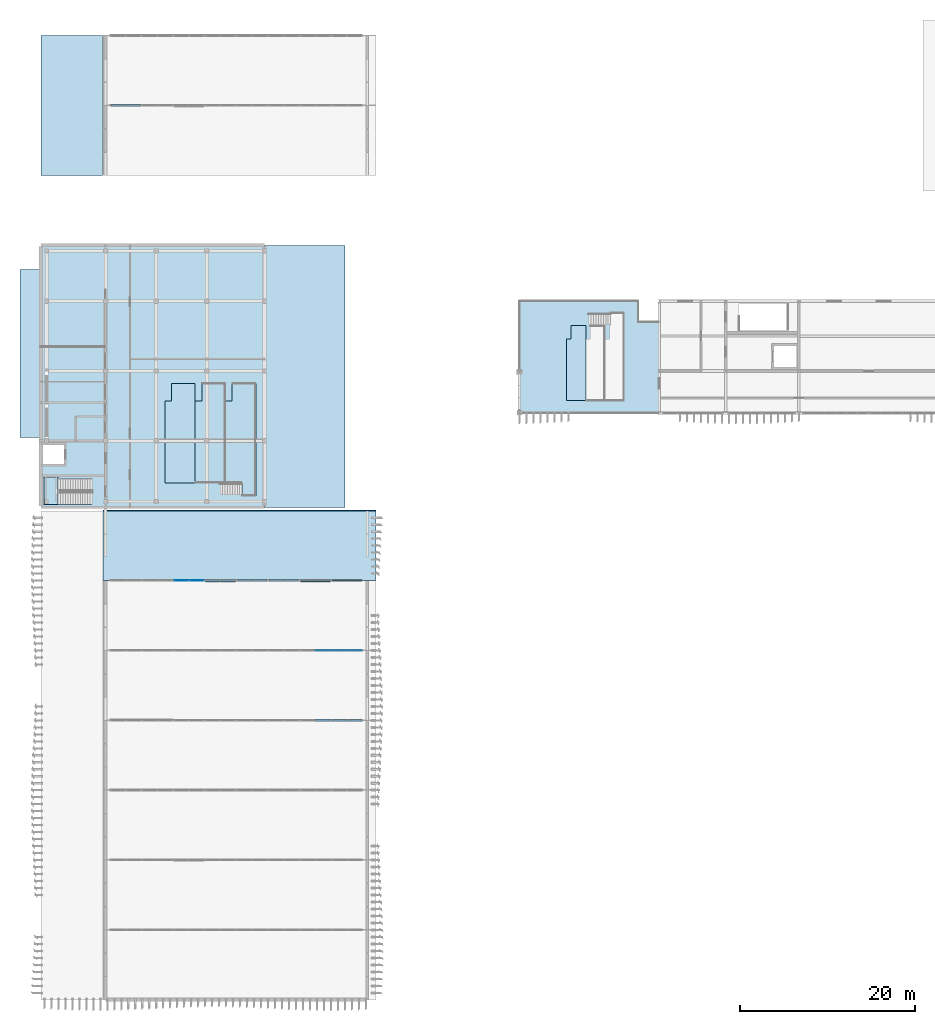
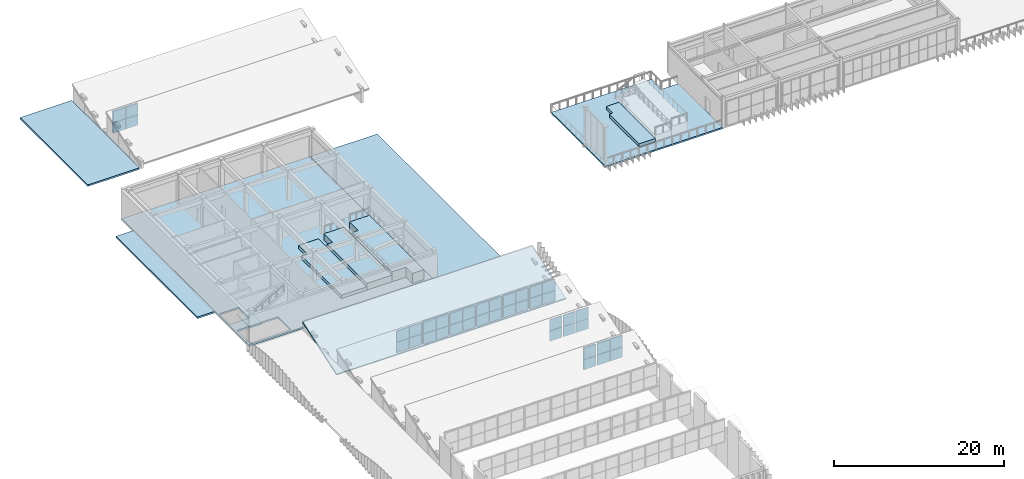
# One storey, part 21 of 45: 40 plates, 11 slabs, 12 elements without a shape of their own.
"""IFC4 building model written with IfcOpenShell, lengths in metres."""

from ifc_helpers import new_model, si_unit, direction, frame, origin, origin_2d, place, context, subcontext, project, spatial, polyline, rectangle, outline, extrude, material, layer, layer_set, type_object, element, aggregate, save


model = new_model("IFC4")

# Units and contexts
model_context = context("Model", 3, precision=1e-05, world=origin(), true_north=direction((0.0, 1.0)))
body_context = subcontext(model_context, "Body", "Model", "MODEL_VIEW")
ifc_project = project(units=[si_unit("LENGTHUNIT", "METRE"), si_unit("AREAUNIT", "SQUARE_METRE"), si_unit("VOLUMEUNIT", "CUBIC_METRE"), si_unit("PLANEANGLEUNIT", "RADIAN"), si_unit("MASSUNIT", "GRAM", prefix="KILO")], contexts=[model_context])

# Site, building, storey
site_placement = place(None, origin())
site = spatial("IfcSite", under=ifc_project, at=site_placement, CompositionType="ELEMENT")
building_placement = place(site_placement, origin())
building = spatial("IfcBuilding", under=site, at=building_placement, Name="Cinchona Park Media Centre", CompositionType="ELEMENT")
storey_placement = place(building_placement, frame((0.0, 0.0, 20.39990234375)))
storey = spatial("IfcBuildingStorey", under=building, at=storey_placement, Name="L04", CompositionType="ELEMENT", Elevation=20.39990234375)

# Curtain wall, plates
ifc_material_1 = material(Name="Aluminium Curtain Wall Framing", Category="aluminium")
ifc_layer_1 = layer(ifc_material_1, 0.31494140625)
ifc_layer_set_1 = layer_set([ifc_layer_1], Name="Aluminium Curtain Wall Framing")
curtain_wall_type = type_object("IfcCurtainWallType", Name="CW-CW10", PredefinedType="USERDEFINED", material=ifc_layer_set_1)
curtain_wall_1_placement = place(storey_placement, origin())
curtain_wall_1 = element("IfcCurtainWall", 1, at=curtain_wall_1_placement, inside=storey, type_object=curtain_wall_type, Name="North-Light Sawtooth Clerestory V1 Bay 6.6 CW10 L04", ObjectType="UNITISED CURTAIN WALL", PredefinedType="USERDEFINED")
ifc_material_2 = material(Name="Laminated Solar-Control Double Glazing", Category="glass")
ifc_layer_2 = layer(ifc_material_2, 0.030029296875)
ifc_layer_set_2 = layer_set([ifc_layer_2], Name="Laminated Solar-Control Double Glazing")
plate_type_1 = type_object("IfcPlateType", Name="CWPANEL-PNL02", PredefinedType="CURTAIN_PANEL", material=ifc_layer_set_2)
plate_1_placement = place(storey_placement, frame((25.8173828125, 55.60009765625, -1.349853515625), z_axis=(0.0, 0.0, 1.0), x_axis=(-1.0, 0.0, 0.0)))
plate_1 = element("IfcPlate", 2, at=plate_1_placement, type_object=plate_type_1, Name="CW10 panel 1.1", PredefinedType="CURTAIN_PANEL", context=body_context, shape_type="SweptSolid", body=[
    extrude(rectangle(XDim=1.6650390625, YDim=0.030029296875, at=origin_2d()), origin(), (0.0, 0.0, 1.0), 1.4580078125),
])
plate_2_placement = place(storey_placement, frame((25.8173828125, 55.60009765625, 0.17822265625), z_axis=(0.0, 0.0, 1.0), x_axis=(-1.0, 0.0, 0.0)))
plate_2 = element("IfcPlate", 3, at=plate_2_placement, type_object=plate_type_1, Name="CW10 panel 1.2", PredefinedType="CURTAIN_PANEL", context=body_context, shape_type="SweptSolid", body=[
    extrude(rectangle(XDim=1.6650390625, YDim=0.030029296875, at=origin_2d()), origin(), (0.0, 0.0, 1.0), 1.589111328125),
])
plate_3_placement = place(storey_placement, frame((24.08251953125, 55.60009765625, -1.349853515625), z_axis=(0.0, 0.0, 1.0), x_axis=(-1.0, 0.0, 0.0)))
plate_3 = element("IfcPlate", 4, at=plate_3_placement, type_object=plate_type_1, Name="CW10 panel 2.1", PredefinedType="CURTAIN_PANEL", context=body_context, shape_type="SweptSolid", body=[
    extrude(rectangle(XDim=1.6650390625, YDim=0.030029296875, at=origin_2d()), origin(), (0.0, 0.0, 1.0), 1.4580078125),
])
plate_4_placement = place(storey_placement, frame((24.08251953125, 55.60009765625, 0.17822265625), z_axis=(0.0, 0.0, 1.0), x_axis=(-1.0, 0.0, 0.0)))
plate_4 = element("IfcPlate", 5, at=plate_4_placement, type_object=plate_type_1, Name="CW10 panel 2.2", PredefinedType="CURTAIN_PANEL", context=body_context, shape_type="SweptSolid", body=[
    extrude(rectangle(XDim=1.6650390625, YDim=0.030029296875, at=origin_2d()), origin(), (0.0, 0.0, 1.0), 1.589111328125),
])
aggregate(curtain_wall_1, [plate_1, plate_2, plate_3, plate_4])

curtain_wall_2_placement = place(storey_placement, origin())
curtain_wall_2 = element("IfcCurtainWall", 6, at=curtain_wall_2_placement, inside=storey, type_object=curtain_wall_type, Name="North-Light Sawtooth Clerestory V1 Bay 5.1 CW10 L04", ObjectType="UNITISED CURTAIN WALL", PredefinedType="USERDEFINED")
ifc_material_3 = material(Name="Laminated Solar-Control Double Glazing", Category="glass")
ifc_layer_3 = layer(ifc_material_3, 0.080078125)
ifc_layer_set_3 = layer_set([ifc_layer_3], Name="Laminated Solar-Control Double Glazing")
plate_type_2 = type_object("IfcPlateType", Name="CWPANEL-PNL07", PredefinedType="CURTAIN_PANEL", material=ifc_layer_set_3)
plate_5_placement = place(storey_placement, frame((43.91748046875, 47.60009765625, -0.5498046875), z_axis=(0.0, 0.0, 1.0), x_axis=(-1.0, 0.0, 0.0)))
plate_5 = element("IfcPlate", 7, at=plate_5_placement, type_object=plate_type_2, Name="CW10 panel 1.1", PredefinedType="CURTAIN_PANEL", context=body_context, shape_type="SweptSolid", body=[
    extrude(rectangle(XDim=1.6650390625, YDim=0.080078125, at=origin_2d()), origin(), (0.0, 0.0, 1.0), 1.4580078125),
])
plate_6_placement = place(storey_placement, frame((43.91748046875, 47.60009765625, 0.97802734375), z_axis=(0.0, 0.0, 1.0), x_axis=(-1.0, 0.0, 0.0)))
plate_6 = element("IfcPlate", 8, at=plate_6_placement, type_object=plate_type_2, Name="CW10 panel 1.2", PredefinedType="CURTAIN_PANEL", context=body_context, shape_type="SweptSolid", body=[
    extrude(rectangle(XDim=1.6650390625, YDim=0.080078125, at=origin_2d()), origin(), (0.0, 0.0, 1.0), 1.589111328125),
])
plate_7_placement = place(storey_placement, frame((42.1826171875, 47.60009765625, -0.5498046875), z_axis=(0.0, 0.0, 1.0), x_axis=(-1.0, 0.0, 0.0)))
plate_7 = element("IfcPlate", 9, at=plate_7_placement, type_object=plate_type_2, Name="CW10 panel 2.1", PredefinedType="CURTAIN_PANEL", context=body_context, shape_type="SweptSolid", body=[
    extrude(rectangle(XDim=1.6650390625, YDim=0.080078125, at=origin_2d()), origin(), (0.0, 0.0, 1.0), 1.4580078125),
])
plate_8_placement = place(storey_placement, frame((42.1826171875, 47.60009765625, 0.97802734375), z_axis=(0.0, 0.0, 1.0), x_axis=(-1.0, 0.0, 0.0)))
plate_8 = element("IfcPlate", 10, at=plate_8_placement, type_object=plate_type_2, Name="CW10 panel 2.2", PredefinedType="CURTAIN_PANEL", context=body_context, shape_type="SweptSolid", body=[
    extrude(rectangle(XDim=1.6650390625, YDim=0.080078125, at=origin_2d()), origin(), (0.0, 0.0, 1.0), 1.589111328125),
])
aggregate(curtain_wall_2, [plate_5, plate_6, plate_7, plate_8])

curtain_wall_3_placement = place(storey_placement, origin())
curtain_wall_3 = element("IfcCurtainWall", 11, at=curtain_wall_3_placement, inside=storey, type_object=curtain_wall_type, Name="North-Light Sawtooth Clerestory V1 Bay 5.2 CW10 L04", ObjectType="UNITISED CURTAIN WALL", PredefinedType="USERDEFINED")
ifc_material_4 = material(Name="Insulated Acoustic Aluminium-Glass Spandrel Cassette", Category="aluminium")
ifc_layer_4 = layer(ifc_material_4, 0.10009765625)
ifc_layer_set_4 = layer_set([ifc_layer_4], Name="Insulated Acoustic Aluminium-Glass Spandrel Cassette")
plate_type_3 = type_object("IfcPlateType", Name="CWPANEL-PNL09", PredefinedType="CURTAIN_PANEL", material=ifc_layer_set_4)
plate_9_placement = place(storey_placement, frame((40.297607421875, 47.60009765625, -0.5498046875), z_axis=(0.0, 0.0, 1.0), x_axis=(-1.0, 0.0, 0.0)))
plate_9 = element("IfcPlate", 12, at=plate_9_placement, type_object=plate_type_3, Name="CW10 panel 1.1", PredefinedType="CURTAIN_PANEL", context=body_context, shape_type="SweptSolid", body=[
    extrude(rectangle(XDim=1.6650390625, YDim=0.10009765625, at=origin_2d()), origin(), (0.0, 0.0, 1.0), 1.4580078125),
])
plate_10_placement = place(storey_placement, frame((40.297607421875, 47.60009765625, 0.97802734375), z_axis=(0.0, 0.0, 1.0), x_axis=(-1.0, 0.0, 0.0)))
plate_10 = element("IfcPlate", 13, at=plate_10_placement, type_object=plate_type_3, Name="CW10 panel 1.2", PredefinedType="CURTAIN_PANEL", context=body_context, shape_type="SweptSolid", body=[
    extrude(rectangle(XDim=1.6650390625, YDim=0.10009765625, at=origin_2d()), origin(), (0.0, 0.0, 1.0), 1.589111328125),
])
aggregate(curtain_wall_3, [plate_9, plate_10])

curtain_wall_4_placement = place(storey_placement, origin())
curtain_wall_4 = element("IfcCurtainWall", 14, at=curtain_wall_4_placement, inside=storey, type_object=curtain_wall_type, Name="North-Light Sawtooth Clerestory V1 Bay 6.1 CW10 L04", ObjectType="UNITISED CURTAIN WALL", PredefinedType="USERDEFINED")
ifc_material_5 = material(Name="Insulated Acoustic Aluminium-Glass Spandrel Cassette", Category="aluminium")
ifc_layer_5 = layer(ifc_material_5, 0.18994140625)
ifc_layer_set_5 = layer_set([ifc_layer_5], Name="Insulated Acoustic Aluminium-Glass Spandrel Cassette")
plate_type_4 = type_object("IfcPlateType", Name="CWPANEL-PNL18", PredefinedType="CURTAIN_PANEL", material=ifc_layer_set_5)
plate_11_placement = place(storey_placement, frame((43.91748046875, 55.60009765625, -1.349853515625), z_axis=(0.0, 0.0, 1.0), x_axis=(-1.0, 0.0, 0.0)))
plate_11 = element("IfcPlate", 15, at=plate_11_placement, type_object=plate_type_4, Name="CW10 panel 1.1", PredefinedType="CURTAIN_PANEL", context=body_context, shape_type="SweptSolid", body=[
    extrude(rectangle(XDim=1.6650390625, YDim=0.18994140625, at=origin_2d()), origin(), (0.0, 0.0, 1.0), 1.4580078125),
])
plate_12_placement = place(storey_placement, frame((43.91748046875, 55.60009765625, 0.17822265625), z_axis=(0.0, 0.0, 1.0), x_axis=(-1.0, 0.0, 0.0)))
plate_12 = element("IfcPlate", 16, at=plate_12_placement, type_object=plate_type_4, Name="CW10 panel 1.2", PredefinedType="CURTAIN_PANEL", context=body_context, shape_type="SweptSolid", body=[
    extrude(rectangle(XDim=1.6650390625, YDim=0.18994140625, at=origin_2d()), origin(), (0.0, 0.0, 1.0), 1.589111328125),
])
plate_13_placement = place(storey_placement, frame((42.1826171875, 55.60009765625, -1.349853515625), z_axis=(0.0, 0.0, 1.0), x_axis=(-1.0, 0.0, 0.0)))
plate_13 = element("IfcPlate", 17, at=plate_13_placement, type_object=plate_type_4, Name="CW10 panel 2.1", PredefinedType="CURTAIN_PANEL", context=body_context, shape_type="SweptSolid", body=[
    extrude(rectangle(XDim=1.6650390625, YDim=0.18994140625, at=origin_2d()), origin(), (0.0, 0.0, 1.0), 1.4580078125),
])
plate_14_placement = place(storey_placement, frame((42.1826171875, 55.60009765625, 0.17822265625), z_axis=(0.0, 0.0, 1.0), x_axis=(-1.0, 0.0, 0.0)))
plate_14 = element("IfcPlate", 18, at=plate_14_placement, type_object=plate_type_4, Name="CW10 panel 2.2", PredefinedType="CURTAIN_PANEL", context=body_context, shape_type="SweptSolid", body=[
    extrude(rectangle(XDim=1.6650390625, YDim=0.18994140625, at=origin_2d()), origin(), (0.0, 0.0, 1.0), 1.589111328125),
])
aggregate(curtain_wall_4, [plate_11, plate_12, plate_13, plate_14])

curtain_wall_5_placement = place(storey_placement, origin())
curtain_wall_5 = element("IfcCurtainWall", 19, at=curtain_wall_5_placement, inside=storey, type_object=curtain_wall_type, Name="North-Light Sawtooth Clerestory V1 Bay 6.2 CW10 L04", ObjectType="UNITISED CURTAIN WALL", PredefinedType="USERDEFINED")
ifc_material_6 = material(Name="Insulated Acoustic Aluminium-Glass Spandrel Cassette", Category="aluminium")
ifc_layer_6 = layer(ifc_material_6, 0.2099609375)
ifc_layer_set_6 = layer_set([ifc_layer_6], Name="Insulated Acoustic Aluminium-Glass Spandrel Cassette")
plate_type_5 = type_object("IfcPlateType", Name="CWPANEL-PNL20", PredefinedType="CURTAIN_PANEL", material=ifc_layer_set_6)
plate_15_placement = place(storey_placement, frame((40.297607421875, 55.60009765625, -1.349853515625), z_axis=(0.0, 0.0, 1.0), x_axis=(-1.0, 0.0, 0.0)))
plate_15 = element("IfcPlate", 20, at=plate_15_placement, type_object=plate_type_5, Name="CW10 panel 1.1", PredefinedType="CURTAIN_PANEL", context=body_context, shape_type="SweptSolid", body=[
    extrude(rectangle(XDim=1.6650390625, YDim=0.2099609375, at=origin_2d()), origin(), (0.0, 0.0, 1.0), 1.4580078125),
])
plate_16_placement = place(storey_placement, frame((40.297607421875, 55.60009765625, 0.17822265625), z_axis=(0.0, 0.0, 1.0), x_axis=(-1.0, 0.0, 0.0)))
plate_16 = element("IfcPlate", 21, at=plate_16_placement, type_object=plate_type_5, Name="CW10 panel 1.2", PredefinedType="CURTAIN_PANEL", context=body_context, shape_type="SweptSolid", body=[
    extrude(rectangle(XDim=1.6650390625, YDim=0.2099609375, at=origin_2d()), origin(), (0.0, 0.0, 1.0), 1.589111328125),
])
plate_17_placement = place(storey_placement, frame((38.5625, 55.60009765625, -1.349853515625), z_axis=(0.0, 0.0, 1.0), x_axis=(-1.0, 0.0, 0.0)))
plate_17 = element("IfcPlate", 22, at=plate_17_placement, type_object=plate_type_5, Name="CW10 panel 2.1", PredefinedType="CURTAIN_PANEL", context=body_context, shape_type="SweptSolid", body=[
    extrude(rectangle(XDim=1.6650390625, YDim=0.2099609375, at=origin_2d()), origin(), (0.0, 0.0, 1.0), 1.4580078125),
])
plate_18_placement = place(storey_placement, frame((38.5625, 55.60009765625, 0.17822265625), z_axis=(0.0, 0.0, 1.0), x_axis=(-1.0, 0.0, 0.0)))
plate_18 = element("IfcPlate", 23, at=plate_18_placement, type_object=plate_type_5, Name="CW10 panel 2.2", PredefinedType="CURTAIN_PANEL", context=body_context, shape_type="SweptSolid", body=[
    extrude(rectangle(XDim=1.6650390625, YDim=0.2099609375, at=origin_2d()), origin(), (0.0, 0.0, 1.0), 1.589111328125),
])
aggregate(curtain_wall_5, [plate_15, plate_16, plate_17, plate_18])

curtain_wall_6_placement = place(storey_placement, origin())
curtain_wall_6 = element("IfcCurtainWall", 24, at=curtain_wall_6_placement, inside=storey, type_object=curtain_wall_type, Name="North-Light Sawtooth Clerestory V1 Bay 4.1 CW10 L04", ObjectType="UNITISED CURTAIN WALL", PredefinedType="USERDEFINED")
ifc_material_7 = material(Name="Insulated Acoustic Aluminium-Glass Spandrel Cassette", Category="aluminium")
ifc_layer_7 = layer(ifc_material_7, 0.22998046875)
ifc_layer_set_7 = layer_set([ifc_layer_7], Name="Insulated Acoustic Aluminium-Glass Spandrel Cassette")
plate_type_6 = type_object("IfcPlateType", Name="CWPANEL-PNL22", PredefinedType="CURTAIN_PANEL", material=ifc_layer_set_7)
plate_19_placement = place(storey_placement, frame((43.91748046875, 39.60009765625, 0.25), z_axis=(0.0, 0.0, 1.0), x_axis=(-1.0, 0.0, 0.0)))
plate_19 = element("IfcPlate", 25, at=plate_19_placement, type_object=plate_type_6, Name="CW10 panel 1.1", PredefinedType="CURTAIN_PANEL", context=body_context, shape_type="SweptSolid", body=[
    extrude(rectangle(XDim=1.6650390625, YDim=0.22998046875, at=origin_2d()), origin(), (0.0, 0.0, 1.0), 1.4580078125),
])
plate_20_placement = place(storey_placement, frame((43.91748046875, 39.60009765625, 1.77783203125), z_axis=(0.0, 0.0, 1.0), x_axis=(-1.0, 0.0, 0.0)))
plate_20 = element("IfcPlate", 26, at=plate_20_placement, type_object=plate_type_6, Name="CW10 panel 1.2", PredefinedType="CURTAIN_PANEL", context=body_context, shape_type="SweptSolid", body=[
    extrude(rectangle(XDim=1.6650390625, YDim=0.22998046875, at=origin_2d()), origin(), (0.0, 0.0, 1.0), 1.589111328125),
])
plate_21_placement = place(storey_placement, frame((42.1826171875, 39.60009765625, 0.25), z_axis=(0.0, 0.0, 1.0), x_axis=(-1.0, 0.0, 0.0)))
plate_21 = element("IfcPlate", 27, at=plate_21_placement, type_object=plate_type_6, Name="CW10 panel 2.1", PredefinedType="CURTAIN_PANEL", context=body_context, shape_type="SweptSolid", body=[
    extrude(rectangle(XDim=1.6650390625, YDim=0.22998046875, at=origin_2d()), origin(), (0.0, 0.0, 1.0), 1.4580078125),
])
plate_22_placement = place(storey_placement, frame((42.1826171875, 39.60009765625, 1.77783203125), z_axis=(0.0, 0.0, 1.0), x_axis=(-1.0, 0.0, 0.0)))
plate_22 = element("IfcPlate", 28, at=plate_22_placement, type_object=plate_type_6, Name="CW10 panel 2.2", PredefinedType="CURTAIN_PANEL", context=body_context, shape_type="SweptSolid", body=[
    extrude(rectangle(XDim=1.6650390625, YDim=0.22998046875, at=origin_2d()), origin(), (0.0, 0.0, 1.0), 1.589111328125),
])
aggregate(curtain_wall_6, [plate_19, plate_20, plate_21, plate_22])

curtain_wall_7_placement = place(storey_placement, origin())
curtain_wall_7 = element("IfcCurtainWall", 29, at=curtain_wall_7_placement, inside=storey, type_object=curtain_wall_type, Name="North-Light Sawtooth Clerestory V1 Bay 6.3 CW10 L04", ObjectType="UNITISED CURTAIN WALL", PredefinedType="USERDEFINED")
plate_23_placement = place(storey_placement, frame((36.677490234375, 55.60009765625, -1.349853515625), z_axis=(0.0, 0.0, 1.0), x_axis=(-1.0, 0.0, 0.0)))
plate_23 = element("IfcPlate", 30, at=plate_23_placement, type_object=plate_type_6, Name="CW10 panel 1.1", PredefinedType="CURTAIN_PANEL", context=body_context, shape_type="SweptSolid", body=[
    extrude(rectangle(XDim=1.6650390625, YDim=0.22998046875, at=origin_2d()), origin(), (0.0, 0.0, 1.0), 1.4580078125),
])
plate_24_placement = place(storey_placement, frame((36.677490234375, 55.60009765625, 0.17822265625), z_axis=(0.0, 0.0, 1.0), x_axis=(-1.0, 0.0, 0.0)))
plate_24 = element("IfcPlate", 31, at=plate_24_placement, type_object=plate_type_6, Name="CW10 panel 1.2", PredefinedType="CURTAIN_PANEL", context=body_context, shape_type="SweptSolid", body=[
    extrude(rectangle(XDim=1.6650390625, YDim=0.22998046875, at=origin_2d()), origin(), (0.0, 0.0, 1.0), 1.589111328125),
])
plate_25_placement = place(storey_placement, frame((34.9423828125, 55.60009765625, -1.349853515625), z_axis=(0.0, 0.0, 1.0), x_axis=(-1.0, 0.0, 0.0)))
plate_25 = element("IfcPlate", 32, at=plate_25_placement, type_object=plate_type_6, Name="CW10 panel 2.1", PredefinedType="CURTAIN_PANEL", context=body_context, shape_type="SweptSolid", body=[
    extrude(rectangle(XDim=1.6650390625, YDim=0.22998046875, at=origin_2d()), origin(), (0.0, 0.0, 1.0), 1.4580078125),
])
plate_26_placement = place(storey_placement, frame((34.9423828125, 55.60009765625, 0.17822265625), z_axis=(0.0, 0.0, 1.0), x_axis=(-1.0, 0.0, 0.0)))
plate_26 = element("IfcPlate", 33, at=plate_26_placement, type_object=plate_type_6, Name="CW10 panel 2.2", PredefinedType="CURTAIN_PANEL", context=body_context, shape_type="SweptSolid", body=[
    extrude(rectangle(XDim=1.6650390625, YDim=0.22998046875, at=origin_2d()), origin(), (0.0, 0.0, 1.0), 1.589111328125),
])
aggregate(curtain_wall_7, [plate_23, plate_24, plate_25, plate_26])

curtain_wall_8_placement = place(storey_placement, origin())
curtain_wall_8 = element("IfcCurtainWall", 34, at=curtain_wall_8_placement, inside=storey, type_object=curtain_wall_type, Name="North-Light Sawtooth Clerestory V1 Bay 4.2 CW10 L04", ObjectType="UNITISED CURTAIN WALL", PredefinedType="USERDEFINED")
ifc_material_8 = material(Name="Insulated Acoustic Aluminium-Glass Spandrel Cassette", Category="aluminium")
ifc_layer_8 = layer(ifc_material_8, 0.25)
ifc_layer_set_8 = layer_set([ifc_layer_8], Name="Insulated Acoustic Aluminium-Glass Spandrel Cassette")
plate_type_7 = type_object("IfcPlateType", Name="CWPANEL-PNL24", PredefinedType="CURTAIN_PANEL", material=ifc_layer_set_8)
plate_27_placement = place(storey_placement, frame((40.297607421875, 39.60009765625, 0.25), z_axis=(0.0, 0.0, 1.0), x_axis=(-1.0, 0.0, 0.0)))
plate_27 = element("IfcPlate", 35, at=plate_27_placement, type_object=plate_type_7, Name="CW10 panel 1.1", PredefinedType="CURTAIN_PANEL", context=body_context, shape_type="SweptSolid", body=[
    extrude(rectangle(XDim=1.6650390625, YDim=0.25, at=origin_2d()), origin(), (0.0, 0.0, 1.0), 1.4580078125),
])
plate_28_placement = place(storey_placement, frame((40.297607421875, 39.60009765625, 1.77783203125), z_axis=(0.0, 0.0, 1.0), x_axis=(-1.0, 0.0, 0.0)))
plate_28 = element("IfcPlate", 36, at=plate_28_placement, type_object=plate_type_7, Name="CW10 panel 1.2", PredefinedType="CURTAIN_PANEL", context=body_context, shape_type="SweptSolid", body=[
    extrude(rectangle(XDim=1.6650390625, YDim=0.25, at=origin_2d()), origin(), (0.0, 0.0, 1.0), 1.589111328125),
])
aggregate(curtain_wall_8, [plate_27, plate_28])

curtain_wall_9_placement = place(storey_placement, origin())
curtain_wall_9 = element("IfcCurtainWall", 37, at=curtain_wall_9_placement, inside=storey, type_object=curtain_wall_type, Name="North-Light Sawtooth Clerestory V1 Bay 6.4 CW10 L04", ObjectType="UNITISED CURTAIN WALL", PredefinedType="USERDEFINED")
plate_29_placement = place(storey_placement, frame((33.0576171875, 55.60009765625, -1.349853515625), z_axis=(0.0, 0.0, 1.0), x_axis=(-1.0, 0.0, 0.0)))
plate_29 = element("IfcPlate", 38, at=plate_29_placement, type_object=plate_type_7, Name="CW10 panel 1.1", PredefinedType="CURTAIN_PANEL", context=body_context, shape_type="SweptSolid", body=[
    extrude(rectangle(XDim=1.6650390625, YDim=0.25, at=origin_2d()), origin(), (0.0, 0.0, 1.0), 1.4580078125),
])
plate_30_placement = place(storey_placement, frame((33.0576171875, 55.60009765625, 0.17822265625), z_axis=(0.0, 0.0, 1.0), x_axis=(-1.0, 0.0, 0.0)))
plate_30 = element("IfcPlate", 39, at=plate_30_placement, type_object=plate_type_7, Name="CW10 panel 1.2", PredefinedType="CURTAIN_PANEL", context=body_context, shape_type="SweptSolid", body=[
    extrude(rectangle(XDim=1.6650390625, YDim=0.25, at=origin_2d()), origin(), (0.0, 0.0, 1.0), 1.589111328125),
])
plate_31_placement = place(storey_placement, frame((31.322509765625, 55.60009765625, -1.349853515625), z_axis=(0.0, 0.0, 1.0), x_axis=(-1.0, 0.0, 0.0)))
plate_31 = element("IfcPlate", 40, at=plate_31_placement, type_object=plate_type_7, Name="CW10 panel 2.1", PredefinedType="CURTAIN_PANEL", context=body_context, shape_type="SweptSolid", body=[
    extrude(rectangle(XDim=1.6650390625, YDim=0.25, at=origin_2d()), origin(), (0.0, 0.0, 1.0), 1.4580078125),
])
plate_32_placement = place(storey_placement, frame((31.322509765625, 55.60009765625, 0.17822265625), z_axis=(0.0, 0.0, 1.0), x_axis=(-1.0, 0.0, 0.0)))
plate_32 = element("IfcPlate", 41, at=plate_32_placement, type_object=plate_type_7, Name="CW10 panel 2.2", PredefinedType="CURTAIN_PANEL", context=body_context, shape_type="SweptSolid", body=[
    extrude(rectangle(XDim=1.6650390625, YDim=0.25, at=origin_2d()), origin(), (0.0, 0.0, 1.0), 1.589111328125),
])
aggregate(curtain_wall_9, [plate_29, plate_30, plate_31, plate_32])

curtain_wall_10_placement = place(storey_placement, origin())
curtain_wall_10 = element("IfcCurtainWall", 42, at=curtain_wall_10_placement, inside=storey, type_object=curtain_wall_type, Name="North-Light Sawtooth Clerestory V2 Bay 1.8 CW10 L04", ObjectType="UNITISED CURTAIN WALL", PredefinedType="USERDEFINED")
ifc_material_9 = material(Name="Insulated Acoustic Aluminium-Glass Spandrel Cassette", Category="aluminium")
ifc_layer_9 = layer(ifc_material_9, 0.260009765625)
ifc_layer_set_9 = layer_set([ifc_layer_9], Name="Insulated Acoustic Aluminium-Glass Spandrel Cassette")
plate_type_8 = type_object("IfcPlateType", Name="CWPANEL-PNL25", PredefinedType="CURTAIN_PANEL", material=ifc_layer_set_9)
plate_33_placement = place(storey_placement, frame((18.577392578125, 110.0, -0.14990234375), z_axis=(0.0, 0.0, 1.0), x_axis=(-1.0, 0.0, 0.0)))
plate_33 = element("IfcPlate", 43, at=plate_33_placement, type_object=plate_type_8, Name="CW10 panel 1.1", PredefinedType="CURTAIN_PANEL", context=body_context, shape_type="SweptSolid", body=[
    extrude(rectangle(XDim=1.6650390625, YDim=0.260009765625, at=origin_2d()), origin(), (0.0, 0.0, 1.0), 1.4580078125),
])
plate_34_placement = place(storey_placement, frame((18.577392578125, 110.0, 1.3779296875), z_axis=(0.0, 0.0, 1.0), x_axis=(-1.0, 0.0, 0.0)))
plate_34 = element("IfcPlate", 44, at=plate_34_placement, type_object=plate_type_8, Name="CW10 panel 1.2", PredefinedType="CURTAIN_PANEL", context=body_context, shape_type="SweptSolid", body=[
    extrude(rectangle(XDim=1.6650390625, YDim=0.260009765625, at=origin_2d()), origin(), (0.0, 0.0, 1.0), 1.589111328125),
])
plate_35_placement = place(storey_placement, frame((16.842529296875, 110.0, -0.14990234375), z_axis=(0.0, 0.0, 1.0), x_axis=(-1.0, 0.0, 0.0)))
plate_35 = element("IfcPlate", 45, at=plate_35_placement, type_object=plate_type_8, Name="CW10 panel 2.1", PredefinedType="CURTAIN_PANEL", context=body_context, shape_type="SweptSolid", body=[
    extrude(rectangle(XDim=1.6650390625, YDim=0.260009765625, at=origin_2d()), origin(), (0.0, 0.0, 1.0), 1.4580078125),
])
plate_36_placement = place(storey_placement, frame((16.842529296875, 110.0, 1.3779296875), z_axis=(0.0, 0.0, 1.0), x_axis=(-1.0, 0.0, 0.0)))
plate_36 = element("IfcPlate", 46, at=plate_36_placement, type_object=plate_type_8, Name="CW10 panel 2.2", PredefinedType="CURTAIN_PANEL", context=body_context, shape_type="SweptSolid", body=[
    extrude(rectangle(XDim=1.6650390625, YDim=0.260009765625, at=origin_2d()), origin(), (0.0, 0.0, 1.0), 1.589111328125),
])
aggregate(curtain_wall_10, [plate_33, plate_34, plate_35, plate_36])

curtain_wall_11_placement = place(storey_placement, origin())
curtain_wall_11 = element("IfcCurtainWall", 47, at=curtain_wall_11_placement, inside=storey, type_object=curtain_wall_type, Name="North-Light Sawtooth Clerestory V1 Bay 6.5 CW10 L04", ObjectType="UNITISED CURTAIN WALL", PredefinedType="USERDEFINED")
ifc_material_10 = material(Name="Insulated Acoustic Aluminium-Glass Spandrel Cassette", Category="aluminium")
ifc_layer_10 = layer(ifc_material_10, 0.27001953125)
ifc_layer_set_10 = layer_set([ifc_layer_10], Name="Insulated Acoustic Aluminium-Glass Spandrel Cassette")
plate_type_9 = type_object("IfcPlateType", Name="CWPANEL-PNL26", PredefinedType="CURTAIN_PANEL", material=ifc_layer_set_10)
plate_37_placement = place(storey_placement, frame((29.4375, 55.60009765625, -1.349853515625), z_axis=(0.0, 0.0, 1.0), x_axis=(-1.0, 0.0, 0.0)))
plate_37 = element("IfcPlate", 48, at=plate_37_placement, type_object=plate_type_9, Name="CW10 panel 1.1", PredefinedType="CURTAIN_PANEL", context=body_context, shape_type="SweptSolid", body=[
    extrude(rectangle(XDim=1.6650390625, YDim=0.27001953125, at=origin_2d()), origin(), (0.0, 0.0, 1.0), 1.4580078125),
])
plate_38_placement = place(storey_placement, frame((29.4375, 55.60009765625, 0.17822265625), z_axis=(0.0, 0.0, 1.0), x_axis=(-1.0, 0.0, 0.0)))
plate_38 = element("IfcPlate", 49, at=plate_38_placement, type_object=plate_type_9, Name="CW10 panel 1.2", PredefinedType="CURTAIN_PANEL", context=body_context, shape_type="SweptSolid", body=[
    extrude(rectangle(XDim=1.6650390625, YDim=0.27001953125, at=origin_2d()), origin(), (0.0, 0.0, 1.0), 1.589111328125),
])
plate_39_placement = place(storey_placement, frame((27.702392578125, 55.60009765625, -1.349853515625), z_axis=(0.0, 0.0, 1.0), x_axis=(-1.0, 0.0, 0.0)))
plate_39 = element("IfcPlate", 50, at=plate_39_placement, type_object=plate_type_9, Name="CW10 panel 2.1", PredefinedType="CURTAIN_PANEL", context=body_context, shape_type="SweptSolid", body=[
    extrude(rectangle(XDim=1.6650390625, YDim=0.27001953125, at=origin_2d()), origin(), (0.0, 0.0, 1.0), 1.4580078125),
])
plate_40_placement = place(storey_placement, frame((27.702392578125, 55.60009765625, 0.17822265625), z_axis=(0.0, 0.0, 1.0), x_axis=(-1.0, 0.0, 0.0)))
plate_40 = element("IfcPlate", 51, at=plate_40_placement, type_object=plate_type_9, Name="CW10 panel 2.2", PredefinedType="CURTAIN_PANEL", context=body_context, shape_type="SweptSolid", body=[
    extrude(rectangle(XDim=1.6650390625, YDim=0.27001953125, at=origin_2d()), origin(), (0.0, 0.0, 1.0), 1.589111328125),
])
aggregate(curtain_wall_11, [plate_37, plate_38, plate_39, plate_40])

# Stair, slab
ifc_material_11 = material(Name="Concrete C35/45", Category="concrete")
stair_type = type_object("IfcStairType", Name="STAIR-ST3-HT45", PredefinedType="HALF_TURN_STAIR", material=ifc_material_11)
stair_placement = place(storey_placement, origin())
stair = element("IfcStair", 52, at=stair_placement, inside=storey, type_object=stair_type, Name="Exit Stair ST3 L04", PredefinedType="HALF_TURN_STAIR")
ifc_material_12 = material(Name="Concrete C35/45", Category="concrete")
ifc_layer_11 = layer(ifc_material_12, 0.195068359375)
ifc_layer_set_11 = layer_set([ifc_layer_11], Name="Concrete C35/45")
slab_type_1 = type_object("IfcSlabType", Name="LANDING-LDG02", PredefinedType="LANDING", material=ifc_layer_set_11)
slab_1_placement = place(storey_placement, frame((0.0, 0.0, 2.05517578125)))
slab_1 = element("IfcSlab", 53, at=slab_1_placement, type_object=slab_type_1, Name="ST3 landing 1", PredefinedType="LANDING", context=body_context, shape_type="SweptSolid", body=[
    extrude(outline(polyline([(8.320068359375, 64.320068359375), (9.97998046875, 64.320068359375), (9.97998046875, 67.449951171875), (8.320068359375, 67.449951171875), (8.320068359375, 64.320068359375)])), origin(), (0.0, 0.0, 1.0), 0.19482421875),
])
aggregate(stair, [slab_1])

# Slabs
ifc_material_13 = material(Name="Concrete C35/45", Category="concrete")
ifc_layer_12 = layer(ifc_material_13, 0.2451171875)
ifc_layer_set_12 = layer_set([ifc_layer_12], Name="Concrete C35/45")
slab_type_2 = type_object("IfcSlabType", Name="SLAB-RS01-245", PredefinedType="ROOF", material=ifc_layer_set_12)
slab_2_placement = place(storey_placement, frame((15.10009765625, 55.60009765625, -1.61279296875), z_axis=(0.0, -0.319773452474, 0.947494031165), x_axis=(1.0, 0.0, 0.0)))
element("IfcSlab", 54, at=slab_2_placement, inside=storey, type_object=slab_type_2, Name="Sawtooth Sloped Roof Slab V1 Bay 7", PredefinedType="ROOF", context=body_context, shape_type="SweptSolid", body=[
    extrude(outline(polyline([(0.0, 0.0), (31.25, 0.0), (31.25, 8.443324957059819), (0.0, 8.443324957059819), (0.0, 0.0)])), origin(), (0.0, 0.0, -1.0), 0.199951171875),
])
ifc_material_14 = material(Name="Concrete C35/45", Category="concrete")
ifc_layer_13 = layer(ifc_material_14, 0.235107421875)
ifc_layer_set_13 = layer_set([ifc_layer_13], Name="Concrete C35/45")
slab_type_3 = type_object("IfcSlabType", Name="SLAB-RS02-235", PredefinedType="ROOF", material=ifc_layer_set_13)
slab_3_placement = place(storey_placement, frame((0.0, 0.0, -0.23486328125)))
element("IfcSlab", 55, at=slab_3_placement, inside=storey, type_object=slab_type_3, Name="Roof Slab RF-V4-WEDGEW", PredefinedType="ROOF", context=body_context, shape_type="SweptSolid", body=[
    extrude(outline(polyline([(5.60009765625, 72.0), (7.985107421875, 72.0), (7.985107421875, 91.199951171875), (5.60009765625, 91.199951171875), (5.60009765625, 72.0)])), origin(), (0.0, 0.0, 1.0), 0.23486328125),
])
slab_4_placement = place(storey_placement, frame((0.0, 0.0, -0.23486328125)))
element("IfcSlab", 56, at=slab_4_placement, inside=storey, type_object=slab_type_3, Name="Roof Slab RF-V4-WEDGEE", PredefinedType="ROOF", context=body_context, shape_type="SweptSolid", body=[
    extrude(outline(polyline([(33.6201171875, 64.0), (42.800048828125, 64.0), (42.800048828125, 94.0), (33.6201171875, 94.0), (33.6201171875, 64.0)])), origin(), (0.0, 0.0, 1.0), 0.23486328125),
])
slab_5_placement = place(storey_placement, frame((0.0, 0.0, -0.23486328125)))
element("IfcSlab", 57, at=slab_5_placement, inside=storey, type_object=slab_type_3, Name="Roof Slab RF-V2-WEST", PredefinedType="ROOF", context=body_context, shape_type="SweptSolid", body=[
    extrude(outline(polyline([(8.0, 102.0), (15.050048828125, 102.0), (15.050048828125, 118.0), (8.0, 118.0), (8.0, 102.0)])), origin(), (0.0, 0.0, 1.0), 0.23486328125),
])
ifc_material_15 = material(Name="Concrete C35/45", Category="concrete")
ifc_layer_14 = layer(ifc_material_15, 0.25)
ifc_layer_set_14 = layer_set([ifc_layer_14], Name="Concrete C35/45")
slab_type_4 = type_object("IfcSlabType", Name="SLAB-SL06-250", PredefinedType="FLOOR", material=ifc_layer_set_14)
slab_6_placement = place(storey_placement, frame((0.0, 0.0, -0.25)))
element("IfcSlab", 58, at=slab_6_placement, inside=storey, type_object=slab_type_4, Name="Floor Slab V4 L04", PredefinedType="FLOOR", context=body_context, shape_type="SweptSolid", body=[
    extrude(outline(polyline([(8.0, 64.0), (33.60009765625, 64.0), (33.60009765625, 94.0), (8.0, 94.0), (8.0, 64.0)]), holes=[polyline([(8.300048828125, 64.300048828125), (13.864990234375, 64.300048828125), (13.864990234375, 67.300048828125), (8.300048828125, 67.300048828125), (8.300048828125, 64.300048828125)]), polyline([(8.199951171875, 68.800048828125), (10.800048828125, 68.800048828125), (10.800048828125, 71.300048828125), (8.199951171875, 71.300048828125), (8.199951171875, 68.800048828125)])]), origin(), (0.0, 0.0, 1.0), 0.25),
])
ifc_material_16 = material(Name="Concrete C35/45", Category="concrete")
ifc_layer_15 = layer(ifc_material_16, 0.18994140625)
ifc_layer_set_15 = layer_set([ifc_layer_15], Name="Concrete C35/45")
slab_type_5 = type_object("IfcSlabType", Name="SLAB-STIER02-190", PredefinedType="USERDEFINED", material=ifc_layer_set_15)
slab_7_placement = place(storey_placement, origin())
element("IfcSlab", 59, at=slab_7_placement, inside=storey, type_object=slab_type_5, Name="Stand Documentary Screen 6 Seating Tier 1", ObjectType="SEATING TIER", PredefinedType="USERDEFINED", context=body_context, shape_type="SweptSolid", body=[
    extrude(outline(polyline([(22.199951171875, 66.800048828125), (25.6669921875, 66.800048828125), (25.6669921875, 78.199951171875), (22.962890625, 78.199951171875), (22.962890625, 76.14794921875), (22.199951171875, 76.14794921875), (22.199951171875, 66.800048828125)])), origin(), (0.0, 0.0, 1.0), 0.47998046875),
])
slab_8_placement = place(storey_placement, origin())
element("IfcSlab", 60, at=slab_8_placement, inside=storey, type_object=slab_type_5, Name="Stand Documentary Screen 6 Seating Tier 2", ObjectType="SEATING TIER", PredefinedType="USERDEFINED", context=body_context, shape_type="SweptSolid", body=[
    extrude(outline(polyline([(25.6669921875, 66.800048828125), (29.134033203125, 66.800048828125), (29.134033203125, 78.199951171875), (26.429931640625, 78.199951171875), (26.429931640625, 76.14794921875), (25.6669921875, 76.14794921875), (25.6669921875, 66.800048828125)])), origin(), (0.0, 0.0, 1.0), 0.960205078125),
])
slab_9_placement = place(storey_placement, origin())
element("IfcSlab", 61, at=slab_9_placement, inside=storey, type_object=slab_type_5, Name="Stand Documentary Screen 6 Seating Tier 3", ObjectType="SEATING TIER", PredefinedType="USERDEFINED", context=body_context, shape_type="SweptSolid", body=[
    extrude(outline(polyline([(29.134033203125, 66.800048828125), (31.0009765625, 66.800048828125), (31.0009765625, 65.300048828125), (32.60107421875, 65.300048828125), (32.60107421875, 78.199951171875), (29.89697265625, 78.199951171875), (29.89697265625, 76.14794921875), (29.134033203125, 76.14794921875), (29.134033203125, 66.800048828125)])), origin(), (0.0, 0.0, 1.0), 1.440185546875),
])
ifc_material_17 = material(Name="Concrete C35/45", Category="concrete")
ifc_layer_16 = layer(ifc_material_17, 0.175048828125)
ifc_layer_set_16 = layer_set([ifc_layer_16], Name="Concrete C35/45")
slab_type_6 = type_object("IfcSlabType", Name="SLAB-STIER03-175", PredefinedType="USERDEFINED", material=ifc_layer_set_16)
slab_10_placement = place(storey_placement, origin())
element("IfcSlab", 62, at=slab_10_placement, inside=storey, type_object=slab_type_6, Name="Stand Rooftop Amphitheatre Seating Tier 1", ObjectType="SEATING TIER", PredefinedType="USERDEFINED", context=body_context, shape_type="SweptSolid", body=[
    extrude(outline(polyline([(68.199951171875, 76.199951171875), (70.39990234375, 76.199951171875), (70.39990234375, 84.800048828125), (68.68408203125, 84.800048828125), (68.68408203125, 83.251953125), (68.199951171875, 83.251953125), (68.199951171875, 76.199951171875)])), origin(), (0.0, 0.0, 1.0), 0.47998046875),
])
ifc_material_18 = material(Name="Concrete C35/45", Category="concrete")
ifc_layer_17 = layer(ifc_material_18, 0.215087890625)
ifc_layer_set_17 = layer_set([ifc_layer_17], Name="Concrete C35/45")
slab_type_7 = type_object("IfcSlabType", Name="SLAB-TR01-215", PredefinedType="FLOOR", material=ifc_layer_set_17)
slab_11_placement = place(storey_placement, frame((0.0, 0.0, -0.21484375)))
element("IfcSlab", 63, at=slab_11_placement, inside=storey, type_object=slab_type_7, Name="Rooftop Screen Terrace Slab 1", PredefinedType="FLOOR", context=body_context, shape_type="SweptSolid", body=[
    extrude(outline(polyline([(62.800048828125, 74.800048828125), (62.800048828125, 87.60009765625), (76.39990234375, 87.60009765625), (76.39990234375, 85.199951171875), (78.780029296875, 85.199951171875), (78.780029296875, 74.800048828125), (62.800048828125, 74.800048828125)])), origin(), (0.0, 0.0, 1.0), 0.21484375),
])

save(model, "model.ifc")
